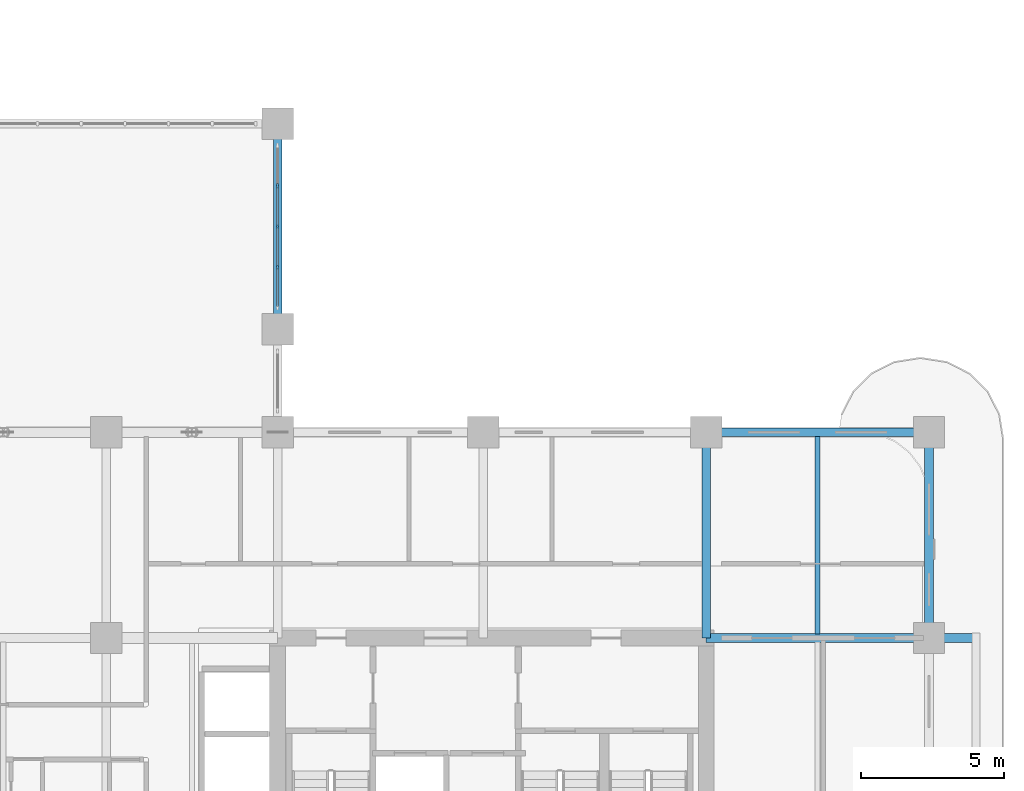
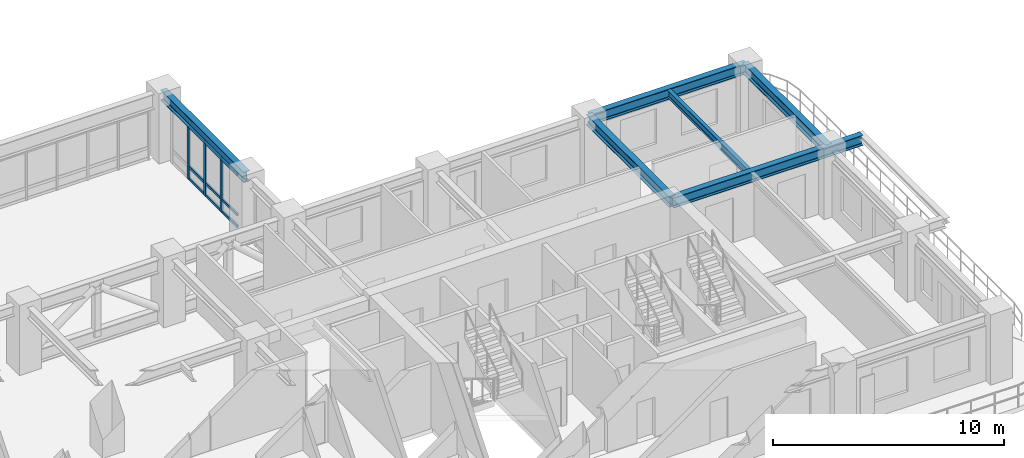
# One storey, part 4 of 21: 12 members, 6 beams, 1 element without a shape of its own.
"""IFC4 building model written with IfcOpenShell, lengths in metres."""

from ifc_helpers import new_model, si_unit, derived_unit, direction, frame, origin, origin_2d, place, context, subcontext, project, spatial, rectangle, i_section, extrude, source, transform, mapped, material, layer, layer_set, material_profile, profile_set, type_object, type_shapes, element, aggregate, save


model = new_model("IFC4")

# Units and contexts
model_context = context("Model", 3, precision=1e-05, world=origin(), true_north=direction((0.0, 1.0)))
body_context = subcontext(model_context, "Body", "Model", "MODEL_VIEW")
ifc_project = project(units=[si_unit("LENGTHUNIT", "METRE"), si_unit("AREAUNIT", "SQUARE_METRE"), si_unit("VOLUMEUNIT", "CUBIC_METRE"), si_unit("PLANEANGLEUNIT", "RADIAN"), si_unit("MASSUNIT", "GRAM", prefix="KILO"), si_unit("THERMODYNAMICTEMPERATUREUNIT", "KELVIN"), si_unit("POWERUNIT", "WATT"), derived_unit("THERMALTRANSMITTANCEUNIT", [(si_unit("POWERUNIT", "WATT"), 1), (si_unit("AREAUNIT", "SQUARE_METRE"), -1), (si_unit("THERMODYNAMICTEMPERATUREUNIT", "KELVIN"), -1)])], contexts=[model_context])

# Site, building, storey
site_placement = place(None, origin())
site = spatial("IfcSite", under=ifc_project, at=site_placement, CompositionType="ELEMENT")
building_placement = place(site_placement, origin())
building = spatial("IfcBuilding", under=site, at=building_placement, Name="Zahravan Archway Hotel and Residences", CompositionType="ELEMENT")
storey_placement = place(building_placement, frame((0.0, 0.0, 69.39990234375)))
storey = spatial("IfcBuildingStorey", under=building, at=storey_placement, Name="L16", CompositionType="ELEMENT", Elevation=69.39990234375)

# Beams
ifc_material_1 = material(Name="Structural Steel S355JR", Category="steel")
ifc_material_profile_1 = material_profile(ifc_material_1, i_section(OverallWidth=0.300048828125, OverallDepth=0.550048828125, WebThickness=0.014892578125, FlangeThickness=0.029052734375, FilletRadius=0.027099609375, at=origin_2d()), Name="HEB 550", Category="steel")
ifc_profile_set_1 = profile_set([ifc_material_profile_1], Name="Structural Steel S355JR")
beam_type_1 = type_object("IfcBeamType", Name="BM-PRI-HEB550", PredefinedType="BEAM", material=ifc_profile_set_1)
shared_shape_1 = source(origin(), body_context, "Body", "SweptSolid", [
    extrude(i_section(OverallWidth=0.300048828125, OverallDepth=0.550048828125, WebThickness=0.014892578125, FlangeThickness=0.029052734375, FilletRadius=0.027099609375, at=origin_2d()), origin(), (0.0, 0.0, 1.0), 7.2001953125),
])
type_shapes(beam_type_1, [shared_shape_1])
for number, where, z_axis, x_axis, name in (
    (1, (49.800048828125, 14.39990234375, 3.175048828125), (0.0, 1.0, 0.0), (-1.0, 0.0, 0.0), "L16 Primary Girder NS-47"),
    (2, (57.60009765625, 14.39990234375, 3.175048828125), (0.0, 1.0, 0.0), (-1.0, 0.0, 0.0), "L16 Primary Girder NS-50"),
):
    element("IfcBeam", number, at=place(storey_placement, frame(where, z_axis=z_axis, x_axis=x_axis)), inside=storey, type_object=beam_type_1, Name=name, PredefinedType="BEAM", context=body_context, shape_type="MappedRepresentation", body=[
        mapped(shared_shape_1, transform((0.0, 0.0, 0.0), scale=1.0)),
    ])
shared_shape_2 = source(origin(), body_context, "Body", "SweptSolid", [
    extrude(i_section(OverallWidth=0.300048828125, OverallDepth=0.550048828125, WebThickness=0.014892578125, FlangeThickness=0.029052734375, FilletRadius=0.027099609375, at=origin_2d()), origin(), (0.0, 0.0, 1.0), 7.199951171875),
])
beam_1_placement = place(storey_placement, frame((34.800048828125, 25.199951171875, 3.175048828125), z_axis=(0.0, 1.0, 0.0), x_axis=(-1.0, 0.0, 0.0)))
element("IfcBeam", 3, at=beam_1_placement, inside=storey, type_object=beam_type_1, Name="L16 Primary Girder NS-45", PredefinedType="BEAM", context=body_context, shape_type="MappedRepresentation", body=[
    mapped(shared_shape_2, transform((0.0, 0.0, 0.0), scale=1.0)),
])
shared_shape_3 = source(origin(), body_context, "Body", "SweptSolid", [
    extrude(i_section(OverallWidth=0.300048828125, OverallDepth=0.550048828125, WebThickness=0.014892578125, FlangeThickness=0.029052734375, FilletRadius=0.027099609375, at=origin_2d()), origin(), (0.0, 0.0, 1.0), 7.800048828125),
])
beam_2_placement = place(storey_placement, frame((49.800048828125, 21.60009765625, 3.175048828125), z_axis=(1.0, 0.0, 0.0), x_axis=(0.0, 1.0, 0.0)))
element("IfcBeam", 4, at=beam_2_placement, inside=storey, type_object=beam_type_1, Name="L16 Primary Girder EW-17", PredefinedType="BEAM", context=body_context, shape_type="MappedRepresentation", body=[
    mapped(shared_shape_3, transform((0.0, 0.0, 0.0), scale=1.0)),
])
shared_shape_4 = source(origin(), body_context, "Body", "SweptSolid", [
    extrude(i_section(OverallWidth=0.300048828125, OverallDepth=0.550048828125, WebThickness=0.014892578125, FlangeThickness=0.029052734375, FilletRadius=0.027099609375, at=origin_2d()), origin(), (0.0, 0.0, 1.0), 9.449951171875),
])
beam_3_placement = place(storey_placement, frame((49.800048828125, 14.39990234375, 3.175048828125), z_axis=(1.0, 0.0, 0.0), x_axis=(0.0, 1.0, 0.0)))
element("IfcBeam", 5, at=beam_3_placement, inside=storey, type_object=beam_type_1, Name="L16 Primary Girder EW-13", PredefinedType="BEAM", context=body_context, shape_type="MappedRepresentation", body=[
    mapped(shared_shape_4, transform((0.0, 0.0, 0.0), scale=1.0)),
])
ifc_material_profile_2 = material_profile(ifc_material_1, i_section(OverallWidth=0.179931640625, OverallDepth=0.39990234375, WebThickness=0.008544921875, FlangeThickness=0.013427734375, FilletRadius=0.02099609375, at=origin_2d()), Name="IPE 400", Category="steel")
ifc_profile_set_2 = profile_set([ifc_material_profile_2], Name="Structural Steel S355JR")
beam_type_2 = type_object("IfcBeamType", Name="BM-JST-IPE400", PredefinedType="JOIST", material=ifc_profile_set_2)
shared_shape_5 = source(origin(), body_context, "Body", "SweptSolid", [
    extrude(i_section(OverallWidth=0.179931640625, OverallDepth=0.39990234375, WebThickness=0.008544921875, FlangeThickness=0.013427734375, FilletRadius=0.02099609375, at=origin_2d()), origin(), (0.0, 0.0, 1.0), 6.90380859375),
])
beam_4_placement = place(storey_placement, frame((53.699951171875, 14.548095703125, 3.25), z_axis=(0.0, 1.0, 0.0), x_axis=(-1.0, 0.0, 0.0)))
element("IfcBeam", 6, at=beam_4_placement, inside=storey, type_object=beam_type_2, Name="L16 Composite Floor Joist 10", PredefinedType="JOIST", context=body_context, shape_type="MappedRepresentation", body=[
    mapped(shared_shape_5, transform((0.0, 0.0, 0.0), scale=1.0)),
])

# Curtain wall, members
ifc_material_2 = material(Name="Bronze-Anodized Unitised Aluminium & Low-E Glass", Category="aluminium")
ifc_layer = layer(ifc_material_2, 0.179931640625, Name="Bronze-Anodized Unitised Aluminium & Low-E Glass", Category="aluminium")
ifc_layer_set = layer_set([ifc_layer], Name="Bronze-Anodized Unitised Aluminium & Low-E Glass")
curtain_wall_type = type_object("IfcCurtainWallType", Name="CW-SBG-1", PredefinedType="NOTDEFINED", material=ifc_layer_set)
curtain_wall_placement = place(storey_placement, origin())
curtain_wall = element("IfcCurtainWall", 7, at=curtain_wall_placement, inside=storey, type_object=curtain_wall_type, Name="L16 Curtain Wall CW-L16-HNG-E-2", PredefinedType="NOTDEFINED")
ifc_material_3 = material(Name="Bronze-Anodized Extruded Aluminium", Category="aluminium")
ifc_material_profile_3 = material_profile(ifc_material_3, rectangle(XDim=0.080078125, YDim=0.139892578125, at=origin_2d()), Name="TRN 80x140", Category="aluminium")
ifc_profile_set_3 = profile_set([ifc_material_profile_3], Name="Bronze-Anodized Extruded Aluminium")
member_type_1 = type_object("IfcMemberType", Name="CWM-TRN-140", PredefinedType="USERDEFINED", material=ifc_profile_set_3)
shared_shape_6 = source(origin(), body_context, "Body", "SweptSolid", [
    extrude(rectangle(XDim=0.080078125, YDim=0.139892578125, at=origin_2d()), origin(), (0.0, 0.0, 1.0), 1.33984375),
])
member_1_placement = place(storey_placement, frame((34.800048828125, 28.840087890625, 0.070068359375), z_axis=(0.0, 1.0, 0.0), x_axis=(-1.0, 0.0, 0.0)))
member_1 = element("IfcMember", 8, at=member_1_placement, type_object=member_type_1, Name="CW-L16-HNG-E-2 Transom 2-1", ObjectType="TRANSOM", PredefinedType="USERDEFINED", context=body_context, shape_type="MappedRepresentation", body=[
    mapped(shared_shape_6, transform((0.0, 0.0, 0.0), scale=1.0)),
])
member_2_placement = place(storey_placement, frame((34.800048828125, 28.840087890625, 0.6923828125), z_axis=(0.0, 1.0, 0.0), x_axis=(-1.0, 0.0, 0.0)))
member_2 = element("IfcMember", 9, at=member_2_placement, type_object=member_type_1, Name="CW-L16-HNG-E-2 Transom 2-2", ObjectType="TRANSOM", PredefinedType="USERDEFINED", context=body_context, shape_type="MappedRepresentation", body=[
    mapped(shared_shape_6, transform((0.0, 0.0, 0.0), scale=1.0)),
])
member_3_placement = place(storey_placement, frame((34.800048828125, 28.840087890625, 2.815185546875), z_axis=(0.0, 1.0, 0.0), x_axis=(-1.0, 0.0, 0.0)))
member_3 = element("IfcMember", 10, at=member_3_placement, type_object=member_type_1, Name="CW-L16-HNG-E-2 Transom 2-3", ObjectType="TRANSOM", PredefinedType="USERDEFINED", context=body_context, shape_type="MappedRepresentation", body=[
    mapped(shared_shape_6, transform((0.0, 0.0, 0.0), scale=1.0)),
])
shared_shape_7 = source(origin(), body_context, "Body", "SweptSolid", [
    extrude(rectangle(XDim=0.080078125, YDim=0.139892578125, at=origin_2d()), origin(), (0.0, 0.0, 1.0), 1.340087890625),
])
member_4_placement = place(storey_placement, frame((34.800048828125, 26.0, 0.070068359375), z_axis=(0.0, 1.0, 0.0), x_axis=(-1.0, 0.0, 0.0)))
member_4 = element("IfcMember", 11, at=member_4_placement, type_object=member_type_1, Name="CW-L16-HNG-E-2 Transom 0-1", ObjectType="TRANSOM", PredefinedType="USERDEFINED", context=body_context, shape_type="MappedRepresentation", body=[
    mapped(shared_shape_7, transform((0.0, 0.0, 0.0), scale=1.0)),
])
member_5_placement = place(storey_placement, frame((34.800048828125, 26.0, 0.6923828125), z_axis=(0.0, 1.0, 0.0), x_axis=(-1.0, 0.0, 0.0)))
member_5 = element("IfcMember", 12, at=member_5_placement, type_object=member_type_1, Name="CW-L16-HNG-E-2 Transom 0-2", ObjectType="TRANSOM", PredefinedType="USERDEFINED", context=body_context, shape_type="MappedRepresentation", body=[
    mapped(shared_shape_7, transform((0.0, 0.0, 0.0), scale=1.0)),
])
member_6_placement = place(storey_placement, frame((34.800048828125, 26.0, 2.815185546875), z_axis=(0.0, 1.0, 0.0), x_axis=(-1.0, 0.0, 0.0)))
member_6 = element("IfcMember", 13, at=member_6_placement, type_object=member_type_1, Name="CW-L16-HNG-E-2 Transom 0-3", ObjectType="TRANSOM", PredefinedType="USERDEFINED", context=body_context, shape_type="MappedRepresentation", body=[
    mapped(shared_shape_7, transform((0.0, 0.0, 0.0), scale=1.0)),
])
member_7_placement = place(storey_placement, frame((34.800048828125, 27.419921875, 0.070068359375), z_axis=(0.0, 1.0, 0.0), x_axis=(-1.0, 0.0, 0.0)))
member_7 = element("IfcMember", 14, at=member_7_placement, type_object=member_type_1, Name="CW-L16-HNG-E-2 Transom 1-1", ObjectType="TRANSOM", PredefinedType="USERDEFINED", context=body_context, shape_type="MappedRepresentation", body=[
    mapped(shared_shape_7, transform((0.0, 0.0, 0.0), scale=1.0)),
])
member_8_placement = place(storey_placement, frame((34.800048828125, 27.419921875, 0.6923828125), z_axis=(0.0, 1.0, 0.0), x_axis=(-1.0, 0.0, 0.0)))
member_8 = element("IfcMember", 15, at=member_8_placement, type_object=member_type_1, Name="CW-L16-HNG-E-2 Transom 1-2", ObjectType="TRANSOM", PredefinedType="USERDEFINED", context=body_context, shape_type="MappedRepresentation", body=[
    mapped(shared_shape_7, transform((0.0, 0.0, 0.0), scale=1.0)),
])
member_9_placement = place(storey_placement, frame((34.800048828125, 27.419921875, 2.815185546875), z_axis=(0.0, 1.0, 0.0), x_axis=(-1.0, 0.0, 0.0)))
member_9 = element("IfcMember", 16, at=member_9_placement, type_object=member_type_1, Name="CW-L16-HNG-E-2 Transom 1-3", ObjectType="TRANSOM", PredefinedType="USERDEFINED", context=body_context, shape_type="MappedRepresentation", body=[
    mapped(shared_shape_7, transform((0.0, 0.0, 0.0), scale=1.0)),
])
ifc_material_profile_4 = material_profile(ifc_material_3, rectangle(XDim=0.080078125, YDim=0.159912109375, at=origin_2d()), Name="MUL 80x160", Category="aluminium")
ifc_profile_set_4 = profile_set([ifc_material_profile_4], Name="Bronze-Anodized Extruded Aluminium")
member_type_2 = type_object("IfcMemberType", Name="CWM-MUL-160", PredefinedType="MULLION", material=ifc_profile_set_4)
shared_shape_8 = source(origin(), body_context, "Body", "SweptSolid", [
    extrude(rectangle(XDim=0.080078125, YDim=0.159912109375, at=origin_2d()), origin(), (0.0, 0.0, 1.0), 2.885009765625),
])
member_10_placement = place(storey_placement, frame((34.800048828125, 27.3798828125, 0.0), z_axis=(0.0, 0.0, 1.0), x_axis=(1.0, 0.0, 0.0)))
member_10 = element("IfcMember", 17, at=member_10_placement, type_object=member_type_2, Name="CW-L16-HNG-E-2 Mullion 1", PredefinedType="MULLION", context=body_context, shape_type="MappedRepresentation", body=[
    mapped(shared_shape_8, transform((0.0, 0.0, 0.0), scale=1.0)),
])
member_11_placement = place(storey_placement, frame((34.800048828125, 28.800048828125, 0.0), z_axis=(0.0, 0.0, 1.0), x_axis=(1.0, 0.0, 0.0)))
member_11 = element("IfcMember", 18, at=member_11_placement, type_object=member_type_2, Name="CW-L16-HNG-E-2 Mullion 2", PredefinedType="MULLION", context=body_context, shape_type="MappedRepresentation", body=[
    mapped(shared_shape_8, transform((0.0, 0.0, 0.0), scale=1.0)),
])
member_12_placement = place(storey_placement, frame((34.800048828125, 30.219970703125, 0.0), z_axis=(0.0, 0.0, 1.0), x_axis=(1.0, 0.0, 0.0)))
member_12 = element("IfcMember", 19, at=member_12_placement, type_object=member_type_2, Name="CW-L16-HNG-E-2 Mullion 3", PredefinedType="MULLION", context=body_context, shape_type="MappedRepresentation", body=[
    mapped(shared_shape_8, transform((0.0, 0.0, 0.0), scale=1.0)),
])
aggregate(curtain_wall, [member_10, member_11, member_12, member_4, member_5, member_6, member_7, member_8, member_9, member_1, member_2, member_3])

save(model, "model.ifc")
